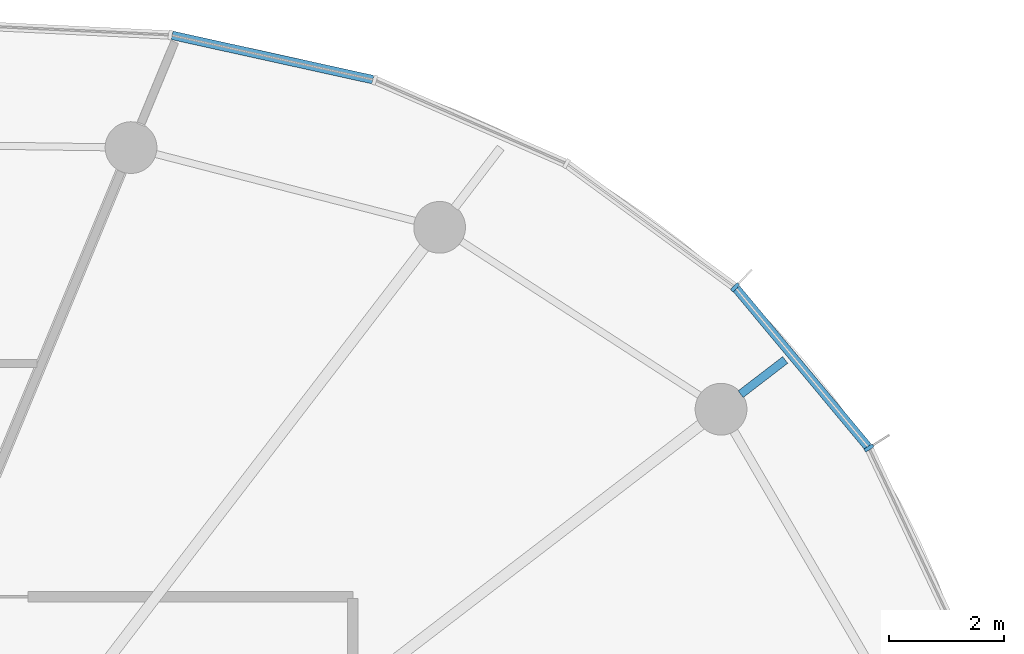
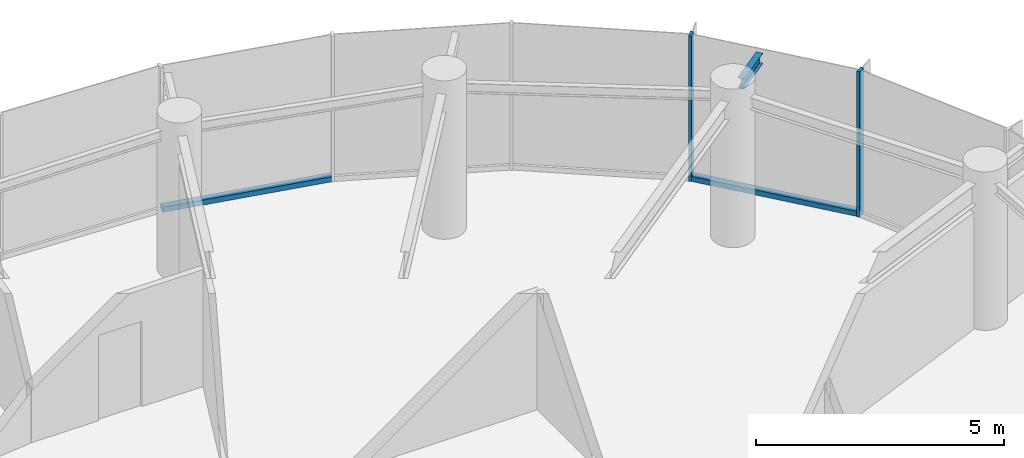
# One storey, part 7 of 15: 4 members, 1 beam, 1 element without a shape of its own.
"""IFC4 building model written with IfcOpenShell, lengths in metres."""

from ifc_helpers import new_model, si_unit, direction, frame, origin, origin_2d, place, context, subcontext, project, spatial, rectangle, i_section, extrude, source, transform, mapped, material, layer, layer_set, material_profile, profile_set, type_object, element, aggregate, save


model = new_model("IFC4")

# Units and contexts
model_context = context("Model", 3, precision=1e-05, world=origin(), true_north=direction((0.0, 1.0)))
body_context = subcontext(model_context, "Body", "Model", "MODEL_VIEW")
ifc_project = project(units=[si_unit("LENGTHUNIT", "METRE"), si_unit("AREAUNIT", "SQUARE_METRE"), si_unit("VOLUMEUNIT", "CUBIC_METRE"), si_unit("PLANEANGLEUNIT", "RADIAN"), si_unit("MASSUNIT", "GRAM", prefix="KILO")], contexts=[model_context])

# Site, building, storey
site_placement = place(None, origin())
site = spatial("IfcSite", under=ifc_project, at=site_placement, CompositionType="ELEMENT")
building_placement = place(site_placement, origin())
building = spatial("IfcBuilding", under=site, at=building_placement, Name="Spindrift Exchange Tower", CompositionType="ELEMENT")
storey_placement = place(building_placement, frame((0.0, 0.0, 195.5)))
storey = spatial("IfcBuildingStorey", under=building, at=storey_placement, Name="L47", CompositionType="ELEMENT", Elevation=195.5)

# Beam
ifc_material_1 = material(Name="Steel Grade 300", Category="steel")
ifc_material_profile_1 = material_profile(ifc_material_1, i_section(OverallWidth=0.14599609375, OverallDepth=0.251953125, WebThickness=0.006103515625, FlangeThickness=0.008544921875, FilletRadius=0.011962890625, at=origin_2d()), Name="250UB31.4")
ifc_profile_set_1 = profile_set([ifc_material_profile_1], Name="Steel Grade 300")
beam_type = type_object("IfcBeamType", Name="Cantilever Beam 250UB31.4 Steel Grade 300", PredefinedType="BEAM", material=ifc_profile_set_1)
shared_shape_1 = source(origin(), body_context, "Body", "SweptSolid", [
    extrude(i_section(OverallWidth=0.14599609375, OverallDepth=0.251953125, WebThickness=0.006103515625, FlangeThickness=0.008544921875, FilletRadius=0.011962890625, at=origin_2d()), origin(), (0.0, 0.0, 1.0), 0.977294921875),
])
beam_placement = place(storey_placement, frame((70.143310546875, 61.921875, 3.4541015625), z_axis=(0.793357021554, 0.608756631463, 0.0), x_axis=(-0.608756631463, 0.793357021554, 0.0)))
element("IfcBeam", 1, at=beam_placement, inside=storey, type_object=beam_type, Name="L47 cantilever beam R03T", PredefinedType="BEAM", context=body_context, shape_type="MappedRepresentation", body=[
    mapped(shared_shape_1, transform((0.0, 0.0, 0.0), scale=1.0)),
])

# Curtain wall, members
ifc_material_2 = material(Name="Fritted laminated glass with bronze frame", Category="glass")
ifc_layer = layer(ifc_material_2, 0.169921875)
ifc_layer_set = layer_set([ifc_layer], Name="ZONE 4 BRONZE FRITTED WALL")
curtain_wall_type = type_object("IfcCurtainWallType", Name="ZONE 4 BRONZE FRITTED WALL", PredefinedType="NOTDEFINED", material=ifc_layer_set)
curtain_wall_placement = place(storey_placement, origin())
curtain_wall = element("IfcCurtainWall", 2, at=curtain_wall_placement, inside=storey, type_object=curtain_wall_type, Name="L47 Zone 4 Bronze Fritted Wall run 1", PredefinedType="NOTDEFINED")
ifc_material_3 = material(Name="Bronze anodised aluminium", Category="aluminium")
ifc_material_profile_2 = material_profile(ifc_material_3, rectangle(XDim=0.06494140625, YDim=0.169921875, at=origin_2d()), Name="ZONE 4 BRONZE FRITTED WALL MULLION 65X170")
ifc_profile_set_2 = profile_set([ifc_material_profile_2], Name="Bronze anodised aluminium")
member_type_1 = type_object("IfcMemberType", Name="ZONE 4 BRONZE FRITTED WALL MULLION 65X170", PredefinedType="MULLION", material=ifc_profile_set_2)
shared_shape_2 = source(origin(), body_context, "Body", "SweptSolid", [
    extrude(rectangle(XDim=0.06494140625, YDim=0.169921875, at=origin_2d()), origin(), (0.0, 0.0, 1.0), 3.580078125),
])
member_1_placement = place(storey_placement, frame((72.37353515625, 60.986572265625, 0.0), z_axis=(0.0, 0.0, 1.0), x_axis=(-0.537513723722, 0.843255001059, 0.0)))
member_1 = element("IfcMember", 3, at=member_1_placement, type_object=member_type_1, Name="L47 mullion CW-4.1", PredefinedType="MULLION", context=body_context, shape_type="MappedRepresentation", body=[
    mapped(shared_shape_2, transform((0.0, 0.0, 0.0), scale=1.0)),
])
member_2_placement = place(storey_placement, frame((70.048095703125, 63.780517578125, 0.0), z_axis=(0.0, 0.0, 1.0), x_axis=(-0.728550149591, 0.684992466769, 0.0)))
member_2 = element("IfcMember", 4, at=member_2_placement, type_object=member_type_1, Name="L47 mullion CW-4.2", PredefinedType="MULLION", context=body_context, shape_type="MappedRepresentation", body=[
    mapped(shared_shape_2, transform((0.0, 0.0, 0.0), scale=1.0)),
])
ifc_material_profile_3 = material_profile(ifc_material_3, rectangle(XDim=0.14990234375, YDim=0.125, at=origin_2d()), Name="ZONE 4 BRONZE FRITTED WALL TRANSOM 150X125")
ifc_profile_set_3 = profile_set([ifc_material_profile_3], Name="Bronze anodised aluminium")
member_type_2 = type_object("IfcMemberType", Name="ZONE 4 BRONZE FRITTED WALL TRANSOM 150X125", PredefinedType="USERDEFINED", material=ifc_profile_set_3)
shared_shape_3 = source(origin(), body_context, "Body", "SweptSolid", [
    extrude(rectangle(XDim=0.14990234375, YDim=0.125, at=origin_2d()), origin(), (0.0, 0.0, 1.0), 3.5703125),
])
member_3_placement = place(storey_placement, frame((72.352783203125, 61.011474609375, 0.0625), z_axis=(-0.639713452662, 0.768613490959, 0.0), x_axis=(-0.768613490959, -0.639713452662, 0.0)))
member_3 = element("IfcMember", 5, at=member_3_placement, type_object=member_type_2, Name="L47 transom CW-4.1", ObjectType="TRANSOM", PredefinedType="USERDEFINED", context=body_context, shape_type="MappedRepresentation", body=[
    mapped(shared_shape_3, transform((0.0, 0.0, 0.0), scale=1.0)),
])
shared_shape_4 = source(origin(), body_context, "Body", "SweptSolid", [
    extrude(rectangle(XDim=0.14990234375, YDim=0.125, at=origin_2d()), origin(), (0.0, 0.0, 1.0), 3.574951171875),
])
member_4_placement = place(storey_placement, frame((63.748046875, 67.3916015625, 0.0625), z_axis=(-0.976526519766, 0.215397205633, 0.0), x_axis=(-0.215397205633, -0.976526519766, 0.0)))
member_4 = element("IfcMember", 6, at=member_4_placement, type_object=member_type_2, Name="L47 transom CW-4.4", ObjectType="TRANSOM", PredefinedType="USERDEFINED", context=body_context, shape_type="MappedRepresentation", body=[
    mapped(shared_shape_4, transform((0.0, 0.0, 0.0), scale=1.0)),
])
aggregate(curtain_wall, [member_1, member_3, member_2, member_4])

save(model, "model.ifc")
